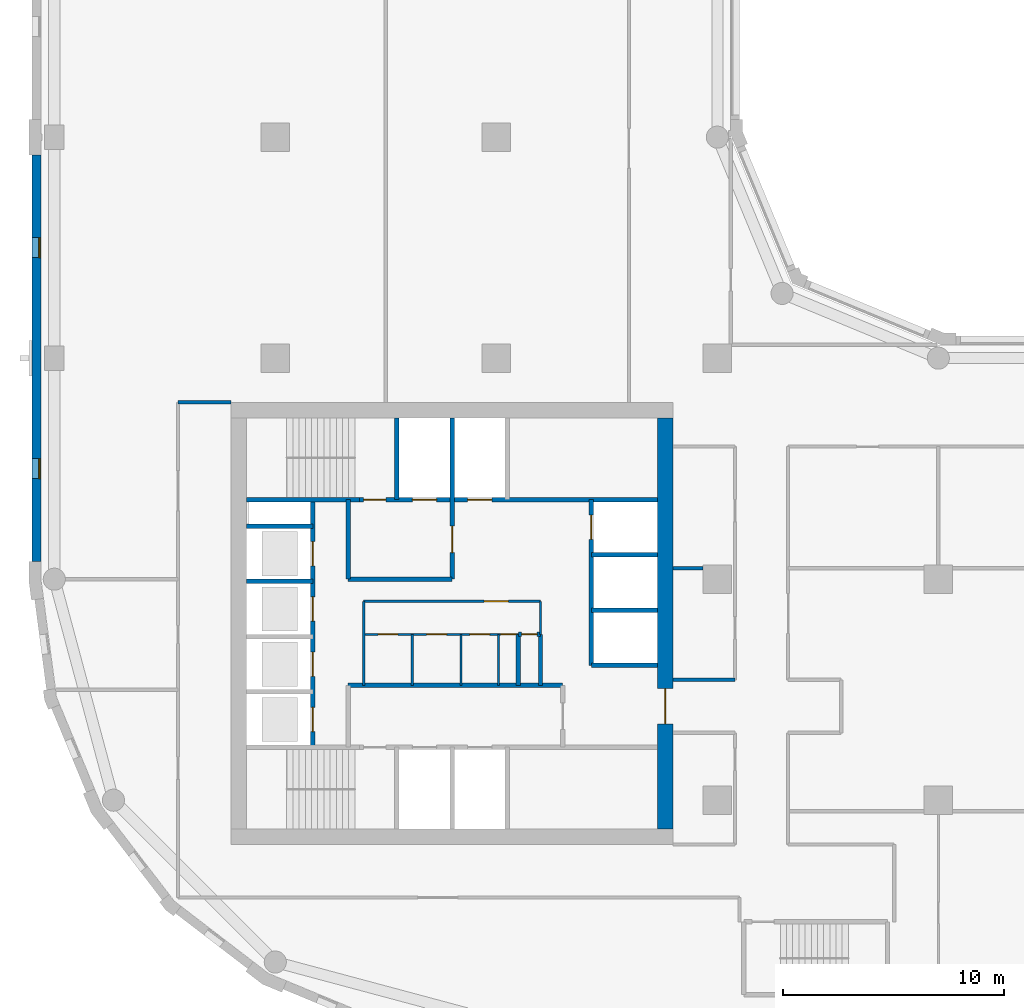
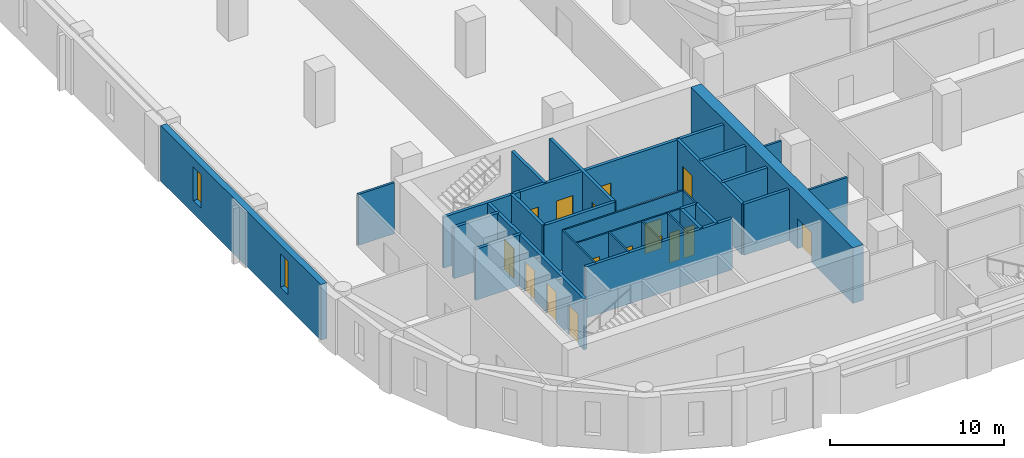
# One storey, part 3 of 9: 29 walls, 16 doors, 2 windows, 18 openings.
"""IFC4 building model written with IfcOpenShell, lengths in metres."""

import ifcopenshell
import ifcopenshell.guid

model = None  # the IFC model being written
_history = None  # IfcOwnerHistory: only IFC2X3 demands one
_inside = {}  # id of a spatial element -> (the spatial element, [elements in it])
_under = {}  # id of a project, library or spatial element -> (it, [spatial elements below it])
_declared = {}  # id of a project -> (the project, [libraries it declares])
_typed = {}  # id of a type object -> (the type object, [elements of that type])
_made_of = {}  # id of a material, layer set ... -> (it, [elements and type objects made of it])


def new_model(schema):
    """Start an empty IFC model of exactly this schema.

    Asked for "IFC4X3", IfcOpenShell would pick the latest addendum, in which some entities
    have other attributes; the version numbers below select the first issue.
    IFC2X3 requires an IfcOwnerHistory on every rooted entity: one is made here for all.
    """
    global model, _history
    if schema == "IFC4X3":
        model = ifcopenshell.file(schema_version=(4, 3, 0, 0))
    else:
        model = ifcopenshell.file(schema=schema)
    _inside.clear()
    _under.clear()
    _declared.clear()
    _typed.clear()
    _made_of.clear()
    _history = None
    if model.schema == "IFC2X3":
        org = make("IfcOrganization", Name="unknown")
        user = make(
            "IfcPersonAndOrganization",
            ThePerson=make("IfcPerson", FamilyName="unknown"),
            TheOrganization=org,
        )
        app = make(
            "IfcApplication",
            ApplicationDeveloper=org,
            Version="unknown",
            ApplicationFullName="unknown",
            ApplicationIdentifier="unknown",
        )
        _history = make(
            "IfcOwnerHistory",
            OwningUser=user,
            OwningApplication=app,
            ChangeAction="ADDED",
            CreationDate=0,
        )
    return model


def make(cls, **values):
    """One entity of the class cls with the attributes given. An attribute that is None is left unset."""
    return model.create_entity(
        cls, **{name: value for name, value in values.items() if value is not None}
    )


def rooted(cls, **values):
    """An entity with a GlobalId (a new one), such as an element, a storey or a relation."""
    return make(cls, GlobalId=ifcopenshell.guid.new(), OwnerHistory=_history, **values)


def si_unit(unit_type, name, prefix=None):
    """IfcSIUnit, for example si_unit("LENGTHUNIT", "METRE", prefix="MILLI")."""
    return make("IfcSIUnit", UnitType=unit_type, Prefix=prefix, Name=name)


def assignment(units):
    """IfcUnitAssignment: the units of a project."""
    return None if units is None else make("IfcUnitAssignment", Units=units)


def point(xyz):
    """IfcCartesianPoint."""
    return None if xyz is None else make("IfcCartesianPoint", Coordinates=xyz)


def direction(xyz):
    """IfcDirection."""
    return None if xyz is None else make("IfcDirection", DirectionRatios=xyz)


def frame(location, z_axis=None, x_axis=None):
    """IfcAxis2Placement3D, a coordinate frame: its origin and axes. An axis left out is left unset."""
    return make(
        "IfcAxis2Placement3D",
        Location=point(location),
        Axis=direction(z_axis),
        RefDirection=direction(x_axis),
    )


def frame_2d(location, x_axis=None):
    """IfcAxis2Placement2D, a coordinate frame in the plane: its origin and x axis."""
    return make(
        "IfcAxis2Placement2D", Location=point(location), RefDirection=direction(x_axis)
    )


def origin():
    """The frame at (0, 0, 0) with its axes left unset."""
    return frame((0.0, 0.0, 0.0))


def place(relative_to, where):
    """IfcLocalPlacement: puts the frame where relative to a parent placement (None: the world)."""
    return make(
        "IfcLocalPlacement", PlacementRelTo=relative_to, RelativePlacement=where
    )


def context(
    kind, dimensions, precision=None, world=None, true_north=None, identifier=None
):
    """IfcGeometricRepresentationContext, for example the 3D "Model" context."""
    return make(
        "IfcGeometricRepresentationContext",
        ContextIdentifier=identifier,
        ContextType=kind,
        CoordinateSpaceDimension=dimensions,
        Precision=precision,
        WorldCoordinateSystem=world,
        TrueNorth=true_north,
    )


def subcontext(parent, identifier, kind, view, scale=None):
    """IfcGeometricRepresentationSubContext, for example "Body" below "Model"."""
    return make(
        "IfcGeometricRepresentationSubContext",
        ContextIdentifier=identifier,
        ContextType=kind,
        ParentContext=parent,
        TargetScale=scale,
        TargetView=view,
    )


def project(units=None, contexts=None):
    """IfcProject with its units and contexts."""
    return rooted(
        "IfcProject",
        Name="project",
        RepresentationContexts=contexts,
        UnitsInContext=assignment(units),
    )


def spatial(cls, under=None, at=None, **own):
    """A site, building, storey or space (cls), placed at a placement, below another one or the project."""
    s = rooted(cls, ObjectPlacement=at, **own)
    if under is not None:
        _under.setdefault(under.id(), (under, []))[1].append(s)
    return s


def profile(cls, at=None, kind="AREA", **sizes):
    """A parametric profile (cls). Its sizes go by their IFC names, for example OverallWidth=200.0."""
    return make(cls, ProfileType=kind, Position=at, **sizes)


def rectangle(**sizes):
    """IfcRectangleProfileDef."""
    return profile("IfcRectangleProfileDef", **sizes)


def extrude(swept, where, along, depth):
    """IfcExtrudedAreaSolid: the profile swept, set in the frame where, extruded along a direction by depth."""
    return make(
        "IfcExtrudedAreaSolid",
        SweptArea=swept,
        Position=where,
        ExtrudedDirection=direction(along),
        Depth=depth,
    )


def shape(context_of_items, identifier, shape_type, items):
    """IfcShapeRepresentation: the items that make up one representation, for example the "Body"."""
    return make(
        "IfcShapeRepresentation",
        ContextOfItems=context_of_items,
        RepresentationIdentifier=identifier,
        RepresentationType=shape_type,
        Items=items,
    )


def material(Name=None, Category=None):
    """IfcMaterial."""
    return make("IfcMaterial", Name=Name, Category=Category)


def layer(
    of_material, thickness, ventilated=None, Name=None, Category=None, Priority=None
):
    """IfcMaterialLayer: one layer of a wall or slab, of a material (None: an air gap)."""
    return make(
        "IfcMaterialLayer",
        Material=of_material,
        LayerThickness=thickness,
        IsVentilated=ventilated,
        Name=Name,
        Category=Category,
        Priority=Priority,
    )


def layer_set(layers, Name=None):
    """IfcMaterialLayerSet."""
    return make("IfcMaterialLayerSet", MaterialLayers=layers, LayerSetName=Name)


def made_of(thing, what):
    """Note that an element or type object is made of a material, layer set ...; save() writes the relation."""
    if what is not None:
        _made_of.setdefault(what.id(), (what, []))[1].append(thing)
    return thing


def type_object(cls, material=None, **own):
    """A type object (cls), such as IfcWallType, which elements share."""
    return made_of(rooted(cls, **own), material)


def element(
    cls,
    number,
    at=None,
    inside=None,
    cuts=None,
    type_object=None,
    material=None,
    context=None,
    identifier="Body",
    shape_type=None,
    held_by="IfcProductDefinitionShape",
    body=None,
    shapes=None,
    **own,
):
    """One element of the class cls, such as IfcWall. Its Tag is "e" and its number.

    at: its placement. inside: the storey or other place that contains it. cuts: it is an
    opening in that element (IfcRelVoidsElement). A single representation is given by context,
    identifier, shape_type and body (its items); several are given by shapes. held_by: the class
    of the entity that holds the representations. save() writes the other relations.
    """
    e = rooted(cls, Tag="e%d" % number, ObjectPlacement=at, **own)
    if body is not None:
        shapes = [shape(context, identifier, shape_type, body)]
    if shapes is not None:
        e.Representation = make(held_by, Representations=shapes)
    if inside is not None:
        _inside.setdefault(inside.id(), (inside, []))[1].append(e)
    if cuts is not None:
        rooted(
            "IfcRelVoidsElement", RelatingBuildingElement=cuts, RelatedOpeningElement=e
        )
    if type_object is not None:
        _typed.setdefault(type_object.id(), (type_object, []))[1].append(e)
    return made_of(e, material)


def fill(opening, filler):
    """IfcRelFillsElement: the door or window that sits in an opening."""
    return rooted(
        "IfcRelFillsElement",
        RelatingOpeningElement=opening,
        RelatedBuildingElement=filler,
    )


def aggregate(whole, parts):
    """IfcRelAggregates: a whole, such as a stair, and the parts it consists of."""
    return rooted("IfcRelAggregates", RelatingObject=whole, RelatedObjects=parts)


def save(model, path):
    """Write the relations noted so far, then the file.

    IfcRelAggregates (storeys below a building ...), IfcRelContainedInSpatialStructure (elements
    in a storey), IfcRelDefinesByType, IfcRelAssociatesMaterial and IfcRelDeclares: one each for
    every whole, place, type object, material and project.
    """
    for whole, parts in _under.values():
        aggregate(whole, parts)
    for where, things in _inside.values():
        rooted(
            "IfcRelContainedInSpatialStructure",
            RelatedElements=things,
            RelatingStructure=where,
        )
    for kind, things in _typed.values():
        rooted("IfcRelDefinesByType", RelatedObjects=things, RelatingType=kind)
    for what, things in _made_of.values():
        rooted("IfcRelAssociatesMaterial", RelatedObjects=things, RelatingMaterial=what)
    for by, libraries in _declared.values():
        rooted("IfcRelDeclares", RelatingContext=by, RelatedDefinitions=libraries)
    model.write(path)


model = new_model("IFC4")

# Units and contexts
model_context = context("Model", 3, precision=1e-05, world=origin(), true_north=direction((0.0, 1.0)))
body_context = subcontext(model_context, "Body", "Model", "MODEL_VIEW")
ifc_project = project(units=[si_unit("LENGTHUNIT", "METRE"), si_unit("AREAUNIT", "SQUARE_METRE"), si_unit("VOLUMEUNIT", "CUBIC_METRE"), si_unit("PLANEANGLEUNIT", "RADIAN"), si_unit("MASSUNIT", "GRAM", prefix="KILO")], contexts=[model_context])

# Site, building, storey
site_placement = place(None, origin())
site = spatial("IfcSite", under=ifc_project, at=site_placement, CompositionType="ELEMENT")
building_placement = place(site_placement, origin())
building = spatial("IfcBuilding", under=site, at=building_placement, Name="Qaws Garden Tower", CompositionType="ELEMENT")
storey_placement = place(building_placement, frame((0.0, 0.0, 221.39990234375)))
storey = spatial("IfcBuildingStorey", under=building, at=storey_placement, Name="L54", CompositionType="ELEMENT", Elevation=221.39990234375)

# Wall, openings, windows
ifc_material_1 = material(Name="Clay facing brick masonry", Category="masonry")
ifc_layer_1 = layer(ifc_material_1, 0.39990234375)
ifc_layer_set_1 = layer_set([ifc_layer_1], Name="Clay facing brick masonry")
wall_type_1 = type_object("IfcWallType", Name="Brick infill wall 400", PredefinedType="SOLIDWALL", material=ifc_layer_set_1)
wall_1_placement = place(storey_placement, frame((-0.800048828125, 39.199951171875, 0.0), z_axis=(0.0, 0.0, 1.0), x_axis=(0.0, -1.0, 0.0)))
wall_1 = element("IfcWall", 1, at=wall_1_placement, inside=storey, type_object=wall_type_1, Name="E-L54-infill-23", PredefinedType="SOLIDWALL", context=body_context, shape_type="SweptSolid", body=[
    extrude(rectangle(XDim=18.39990234375, YDim=0.39990234375, at=frame_2d((9.199951171875, 0.0))), origin(), (0.0, 0.0, 1.0), 3.900146484375),
])
opening_1_placement = place(wall_1_placement, frame((3.75, 0.0, 0.89990234375)))
opening_1 = element("IfcOpeningElement", 2, at=opening_1_placement, cuts=wall_1, Name="Opening W09", PredefinedType="OPENING", context=body_context, shape_type="SweptSolid", body=[
    extrude(rectangle(XDim=0.89990234375, YDim=2.35009765625, at=frame_2d((0.449951171875, 1.175048828125))), frame((0.0, 0.2099609375, 0.0), z_axis=(0.0, -1.0, 0.0), x_axis=(1.0, 0.0, 0.0)), (0.0, 0.0, 1.0), 0.419921875),
])
opening_2_placement = place(wall_1_placement, frame((13.75, 0.0, 0.89990234375)))
opening_2 = element("IfcOpeningElement", 3, at=opening_2_placement, cuts=wall_1, Name="Opening W09", PredefinedType="OPENING", context=body_context, shape_type="SweptSolid", body=[
    extrude(rectangle(XDim=0.89990234375, YDim=2.35009765625, at=frame_2d((0.449951171875, 1.175048828125))), frame((0.0, 0.2099609375, 0.0), z_axis=(0.0, -1.0, 0.0), x_axis=(1.0, 0.0, 0.0)), (0.0, 0.0, 1.0), 0.419921875),
])
ifc_material_2 = material(Name="Aluminium framed window, clear glazing", Category="aluminium")
window_type = type_object("IfcWindowType", Name="Slit window 900 x 2350", PartitioningType="SINGLE_PANEL", PredefinedType="WINDOW", material=ifc_material_2)
window_1_placement = place(opening_1_placement, origin())
window_1 = element("IfcWindow", 4, at=window_1_placement, inside=storey, type_object=window_type, Name="E-L54-window-23-0", OverallHeight=2.35009765625, OverallWidth=0.89990234375, PartitioningType="SINGLE_PANEL", PredefinedType="WINDOW", context=body_context, shape_type="SweptSolid", body=[
    extrude(rectangle(XDim=0.89990234375, YDim=2.35009765625, at=frame_2d((0.449951171875, 1.175048828125))), frame((0.0, 0.159912109375, 0.0), z_axis=(0.0, -1.0, 0.0), x_axis=(1.0, 0.0, 0.0)), (0.0, 0.0, 1.0), 0.06005859375),
])
fill(opening_1, window_1)
window_2_placement = place(opening_2_placement, origin())
window_2 = element("IfcWindow", 5, at=window_2_placement, inside=storey, type_object=window_type, Name="E-L54-window-24-0", OverallHeight=2.35009765625, OverallWidth=0.89990234375, PartitioningType="SINGLE_PANEL", PredefinedType="WINDOW", context=body_context, shape_type="SweptSolid", body=[
    extrude(rectangle(XDim=0.89990234375, YDim=2.35009765625, at=frame_2d((0.449951171875, 1.175048828125))), frame((0.0, 0.159912109375, 0.0), z_axis=(0.0, -1.0, 0.0), x_axis=(1.0, 0.0, 0.0)), (0.0, 0.0, 1.0), 0.06005859375),
])
fill(opening_2, window_2)

# Wall, openings, doors
ifc_material_3 = material(Name="Plasterboard")
ifc_layer_2 = layer(ifc_material_3, 0.10009765625)
ifc_layer_set_2 = layer_set([ifc_layer_2], Name="Plasterboard")
wall_type_2 = type_object("IfcWallType", Name="Core partition 100", PredefinedType="PARTITIONING", material=ifc_layer_set_2)
wall_2_placement = place(storey_placement, frame((14.0, 17.5, 0.0), z_axis=(0.0, 0.0, 1.0), x_axis=(1.0, 0.0, 0.0)))
wall_2 = element("IfcWall", 6, at=wall_2_placement, inside=storey, type_object=wall_type_2, Name="Core partition", PredefinedType="PARTITIONING", context=body_context, shape_type="SweptSolid", body=[
    extrude(rectangle(XDim=7.0, YDim=0.10009765625, at=frame_2d((3.5, 0.0))), origin(), (0.0, 0.0, 1.0), 3.580078125),
])
opening_3_placement = place(wall_2_placement, frame((0.64990234375, 0.0, 0.0)))
opening_3 = element("IfcOpeningElement", 7, at=opening_3_placement, cuts=wall_2, Name="Opening WD18", PredefinedType="OPENING", context=body_context, shape_type="SweptSolid", body=[
    extrude(rectangle(XDim=0.89990234375, YDim=2.10009765625, at=frame_2d((0.449951171875, 1.050048828125))), frame((0.0, 0.06005859375, 0.0), z_axis=(0.0, -1.0, 0.0), x_axis=(1.0, 0.0, 0.0)), (0.0, 0.0, 1.0), 0.1201171875),
])
opening_4_placement = place(wall_2_placement, frame((2.85009765625, 0.0, 0.0)))
opening_4 = element("IfcOpeningElement", 8, at=opening_4_placement, cuts=wall_2, Name="Opening WD19", PredefinedType="OPENING", context=body_context, shape_type="SweptSolid", body=[
    extrude(rectangle(XDim=0.89990234375, YDim=2.10009765625, at=frame_2d((0.449951171875, 1.050048828125))), frame((0.0, 0.06005859375, 0.0), z_axis=(0.0, -1.0, 0.0), x_axis=(1.0, 0.0, 0.0)), (0.0, 0.0, 1.0), 0.1201171875),
])
opening_5_placement = place(wall_2_placement, frame((4.800048828125, 0.0, 0.0)))
opening_5 = element("IfcOpeningElement", 9, at=opening_5_placement, cuts=wall_2, Name="Opening WD20", PredefinedType="OPENING", context=body_context, shape_type="SweptSolid", body=[
    extrude(rectangle(XDim=0.89990234375, YDim=2.10009765625, at=frame_2d((0.449951171875, 1.050048828125))), frame((0.0, 0.06005859375, 0.0), z_axis=(0.0, -1.0, 0.0), x_axis=(1.0, 0.0, 0.0)), (0.0, 0.0, 1.0), 0.1201171875),
])
opening_6_placement = place(wall_2_placement, frame((6.199951171875, 0.0, 0.0)))
opening_6 = element("IfcOpeningElement", 10, at=opening_6_placement, cuts=wall_2, Name="Opening XD21", PredefinedType="OPENING", context=body_context, shape_type="SweptSolid", body=[
    extrude(rectangle(XDim=0.699951171875, YDim=2.10009765625, at=frame_2d((0.35009765625, 1.050048828125))), frame((0.0, 0.06005859375, 0.0), z_axis=(0.0, -1.0, 0.0), x_axis=(1.0, 0.0, 0.0)), (0.0, 0.0, 1.0), 0.1201171875),
])
ifc_material_4 = material(Name="Timber", Category="wood")
door_type_1 = type_object("IfcDoorType", Name="Store door 700x2100", OperationType="SINGLE_SWING_LEFT", PredefinedType="DOOR", material=ifc_material_4)
door_1_placement = place(opening_6_placement, frame((0.699951171875, 0.0, 0.0), z_axis=(0.0, 0.0, 1.0), x_axis=(-1.0, 0.0, 0.0)))
door_1 = element("IfcDoor", 11, at=door_1_placement, inside=storey, type_object=door_type_1, Name="Cleaner's store door", OperationType="SINGLE_SWING_LEFT", OverallHeight=2.10009765625, OverallWidth=0.699951171875, PredefinedType="DOOR", context=body_context, shape_type="SweptSolid", body=[
    extrude(rectangle(XDim=0.699951171875, YDim=2.10009765625, at=frame_2d((0.35009765625, 1.050048828125))), frame((0.0, 0.02490234375, 0.0), z_axis=(0.0, -1.0, 0.0), x_axis=(1.0, 0.0, 0.0)), (0.0, 0.0, 1.0), 0.050048828125),
])
fill(opening_6, door_1)
ifc_material_5 = material(Name="Timber", Category="wood")
door_type_2 = type_object("IfcDoorType", Name="WC door 900x2100", OperationType="SINGLE_SWING_LEFT", PredefinedType="DOOR", material=ifc_material_5)
door_2_placement = place(opening_3_placement, frame((0.89990234375, 0.0, 0.0), z_axis=(0.0, 0.0, 1.0), x_axis=(-1.0, 0.0, 0.0)))
door_2 = element("IfcDoor", 12, at=door_2_placement, inside=storey, type_object=door_type_2, Name="Men's WC door", OperationType="SINGLE_SWING_LEFT", OverallHeight=2.10009765625, OverallWidth=0.89990234375, PredefinedType="DOOR", context=body_context, shape_type="SweptSolid", body=[
    extrude(rectangle(XDim=0.89990234375, YDim=2.10009765625, at=frame_2d((0.449951171875, 1.050048828125))), frame((0.0, 0.02490234375, 0.0), z_axis=(0.0, -1.0, 0.0), x_axis=(1.0, 0.0, 0.0)), (0.0, 0.0, 1.0), 0.050048828125),
])
fill(opening_3, door_2)
door_3_placement = place(opening_4_placement, frame((0.89990234375, 0.0, 0.0), z_axis=(0.0, 0.0, 1.0), x_axis=(-1.0, 0.0, 0.0)))
door_3 = element("IfcDoor", 13, at=door_3_placement, inside=storey, type_object=door_type_2, Name="Women's WC door", OperationType="SINGLE_SWING_LEFT", OverallHeight=2.10009765625, OverallWidth=0.89990234375, PredefinedType="DOOR", context=body_context, shape_type="SweptSolid", body=[
    extrude(rectangle(XDim=0.89990234375, YDim=2.10009765625, at=frame_2d((0.449951171875, 1.050048828125))), frame((0.0, 0.02490234375, 0.0), z_axis=(0.0, -1.0, 0.0), x_axis=(1.0, 0.0, 0.0)), (0.0, 0.0, 1.0), 0.050048828125),
])
fill(opening_4, door_3)
door_4_placement = place(opening_5_placement, frame((0.89990234375, 0.0, 0.0), z_axis=(0.0, 0.0, 1.0), x_axis=(-1.0, 0.0, 0.0)))
door_4 = element("IfcDoor", 14, at=door_4_placement, inside=storey, type_object=door_type_2, Name="Accessible WC door", OperationType="SINGLE_SWING_LEFT", OverallHeight=2.10009765625, OverallWidth=0.89990234375, PredefinedType="DOOR", context=body_context, shape_type="SweptSolid", body=[
    extrude(rectangle(XDim=0.89990234375, YDim=2.10009765625, at=frame_2d((0.449951171875, 1.050048828125))), frame((0.0, 0.02490234375, 0.0), z_axis=(0.0, -1.0, 0.0), x_axis=(1.0, 0.0, 0.0)), (0.0, 0.0, 1.0), 0.050048828125),
])
fill(opening_5, door_4)

# Wall, opening, door
wall_3_placement = place(storey_placement, frame((14.0, 19.0, 0.0), z_axis=(0.0, 0.0, 1.0), x_axis=(1.0, 0.0, 0.0)))
wall_3 = element("IfcWall", 15, at=wall_3_placement, inside=storey, type_object=wall_type_2, Name="Core partition", PredefinedType="PARTITIONING", context=body_context, shape_type="SweptSolid", body=[
    extrude(rectangle(XDim=8.0, YDim=0.10009765625, at=frame_2d((4.0, 0.0))), origin(), (0.0, 0.0, 1.0), 3.580078125),
])
opening_7_placement = place(wall_3_placement, frame((5.449951171875, 0.0, 0.0)))
opening_7 = element("IfcOpeningElement", 16, at=opening_7_placement, cuts=wall_3, Name="Opening WL17", PredefinedType="OPENING", context=body_context, shape_type="SweptSolid", body=[
    extrude(rectangle(XDim=1.10009765625, YDim=2.10009765625, at=frame_2d((0.550048828125, 1.050048828125))), frame((0.0, 0.06005859375, 0.0), z_axis=(0.0, -1.0, 0.0), x_axis=(1.0, 0.0, 0.0)), (0.0, 0.0, 1.0), 0.1201171875),
])
ifc_material_6 = material(Name="Timber", Category="wood")
door_type_3 = type_object("IfcDoorType", Name="WC lobby door 1100x2100", OperationType="SINGLE_SWING_LEFT", PredefinedType="DOOR", material=ifc_material_6)
door_5_placement = place(opening_7_placement, frame((1.10009765625, 0.0, 0.0), z_axis=(0.0, 0.0, 1.0), x_axis=(-1.0, 0.0, 0.0)))
door_5 = element("IfcDoor", 17, at=door_5_placement, inside=storey, type_object=door_type_3, Name="WC lobby door", OperationType="SINGLE_SWING_LEFT", OverallHeight=2.10009765625, OverallWidth=1.10009765625, PredefinedType="DOOR", context=body_context, shape_type="SweptSolid", body=[
    extrude(rectangle(XDim=1.10009765625, YDim=2.10009765625, at=frame_2d((0.550048828125, 1.050048828125))), frame((0.0, 0.02490234375, 0.0), z_axis=(0.0, -1.0, 0.0), x_axis=(1.0, 0.0, 0.0)), (0.0, 0.0, 1.0), 0.050048828125),
])
fill(opening_7, door_5)

# Walls
wall_4_placement = place(storey_placement, frame((14.0, 15.199951171875, 0.0), z_axis=(0.0, 0.0, 1.0), x_axis=(0.0, 1.0, 0.0)))
element("IfcWall", 18, at=wall_4_placement, inside=storey, type_object=wall_type_2, Name="Core partition", PredefinedType="PARTITIONING", context=body_context, shape_type="SweptSolid", body=[
    extrude(rectangle(XDim=3.800048828125, YDim=0.10009765625, at=frame_2d((1.89990234375, 0.0))), origin(), (0.0, 0.0, 1.0), 3.580078125),
])
for number, where, z_axis, x_axis, name in (
    (19, (16.199951171875, 15.199951171875, 0.0), (0.0, 0.0, 1.0), (0.0, 1.0, 0.0), "Core partition"),
    (20, (18.39990234375, 15.199951171875, 0.0), (0.0, 0.0, 1.0), (0.0, 1.0, 0.0), "Core partition"),
    (21, (20.10009765625, 15.199951171875, 0.0), (0.0, 0.0, 1.0), (0.0, 1.0, 0.0), "Core partition"),
):
    element("IfcWall", number, at=place(storey_placement, frame(where, z_axis=z_axis, x_axis=x_axis)), inside=storey, type_object=wall_type_2, Name=name, PredefinedType="PARTITIONING", context=body_context, shape_type="SweptSolid", body=[
        extrude(rectangle(XDim=2.300048828125, YDim=0.10009765625, at=frame_2d((1.14990234375, 0.0))), origin(), (0.0, 0.0, 1.0), 3.580078125),
    ])
wall_5_placement = place(storey_placement, frame((22.0, 17.5, 0.0), z_axis=(0.0, 0.0, 1.0), x_axis=(0.0, 1.0, 0.0)))
element("IfcWall", 22, at=wall_5_placement, inside=storey, type_object=wall_type_2, Name="Core partition", PredefinedType="PARTITIONING", context=body_context, shape_type="SweptSolid", body=[
    extrude(rectangle(XDim=1.5, YDim=0.10009765625, at=frame_2d((0.75, 0.0))), origin(), (0.0, 0.0, 1.0), 3.580078125),
])
ifc_material_7 = material(Name="Concrete C70", Category="concrete")
ifc_layer_3 = layer(ifc_material_7, 0.199951171875)
ifc_layer_set_3 = layer_set([ifc_layer_3], Name="Concrete C70")
wall_type_3 = type_object("IfcWallType", Name="Core shaft wall 200 C70", PredefinedType="SHEAR", material=ifc_layer_set_3)
wall_6_placement = place(storey_placement, frame((13.300048828125, 15.199951171875, 0.0), z_axis=(0.0, 0.0, 1.0), x_axis=(1.0, 0.0, 0.0)))
element("IfcWall", 23, at=wall_6_placement, inside=storey, type_object=wall_type_3, Name="Shaft wall", PredefinedType="SHEAR", context=body_context, shape_type="SweptSolid", body=[
    extrude(rectangle(XDim=9.699951171875, YDim=0.199951171875, at=frame_2d((4.85009765625, 0.0))), origin(), (0.0, 0.0, 1.0), 3.580078125),
])
wall_7_placement = place(storey_placement, frame((24.300048828125, 16.10009765625, 0.0), z_axis=(0.0, 0.0, 1.0), x_axis=(1.0, 0.0, 0.0)))
element("IfcWall", 24, at=wall_7_placement, inside=storey, type_object=wall_type_3, Name="Shaft wall", PredefinedType="SHEAR", context=body_context, shape_type="SweptSolid", body=[
    extrude(rectangle(XDim=3.0, YDim=0.199951171875, at=frame_2d((1.5, 0.0))), origin(), (0.0, 0.0, 1.0), 3.580078125),
])

# Wall, opening, door
wall_8_placement = place(storey_placement, frame((21.0, 17.5, 0.0), z_axis=(0.0, 0.0, 1.0), x_axis=(1.0, 0.0, 0.0)))
wall_8 = element("IfcWall", 25, at=wall_8_placement, inside=storey, type_object=wall_type_3, Name="Shaft wall", PredefinedType="SHEAR", context=body_context, shape_type="SweptSolid", body=[
    extrude(rectangle(XDim=1.0, YDim=0.199951171875, at=frame_2d((0.5, 0.0))), origin(), (0.0, 0.0, 1.0), 3.580078125),
])
opening_8_placement = place(wall_8_placement, frame((0.14990234375, 0.0, 0.0)))
opening_8 = element("IfcOpeningElement", 26, at=opening_8_placement, cuts=wall_8, Name="Opening XD22", PredefinedType="OPENING", context=body_context, shape_type="SweptSolid", body=[
    extrude(rectangle(XDim=0.699951171875, YDim=2.10009765625, at=frame_2d((0.35009765625, 1.050048828125))), frame((0.0, 0.10986328125, 0.0), z_axis=(0.0, -1.0, 0.0), x_axis=(1.0, 0.0, 0.0)), (0.0, 0.0, 1.0), 0.219970703125),
])
door_6_placement = place(opening_8_placement, frame((0.699951171875, 0.0, 0.0), z_axis=(0.0, 0.0, 1.0), x_axis=(-1.0, 0.0, 0.0)))
door_6 = element("IfcDoor", 27, at=door_6_placement, inside=storey, type_object=door_type_1, Name="Telecom riser door", OperationType="SINGLE_SWING_LEFT", OverallHeight=2.10009765625, OverallWidth=0.699951171875, PredefinedType="DOOR", context=body_context, shape_type="SweptSolid", body=[
    extrude(rectangle(XDim=0.699951171875, YDim=2.10009765625, at=frame_2d((0.35009765625, 1.050048828125))), frame((0.0, 0.02490234375, 0.0), z_axis=(0.0, -1.0, 0.0), x_axis=(1.0, 0.0, 0.0)), (0.0, 0.0, 1.0), 0.050048828125),
])
fill(opening_8, door_6)

# Walls
for number, where, z_axis, x_axis, name in (
    (28, (24.300048828125, 18.60009765625, 0.0), (0.0, 0.0, 1.0), (1.0, 0.0, 0.0), "Shaft wall"),
    (29, (8.699951171875, 19.89990234375, 0.0), (0.0, 0.0, 1.0), (1.0, 0.0, 0.0), "Shaft wall"),
):
    element("IfcWall", number, at=place(storey_placement, frame(where, z_axis=z_axis, x_axis=x_axis)), inside=storey, type_object=wall_type_3, Name=name, PredefinedType="SHEAR", context=body_context, shape_type="SweptSolid", body=[
        extrude(rectangle(XDim=3.0, YDim=0.199951171875, at=frame_2d((1.5, 0.0))), origin(), (0.0, 0.0, 1.0), 3.580078125),
    ])
wall_9_placement = place(storey_placement, frame((13.300048828125, 20.0, 0.0), z_axis=(0.0, 0.0, 1.0), x_axis=(1.0, 0.0, 0.0)))
element("IfcWall", 30, at=wall_9_placement, inside=storey, type_object=wall_type_3, Name="Shaft wall", PredefinedType="SHEAR", context=body_context, shape_type="SweptSolid", body=[
    extrude(rectangle(XDim=4.699951171875, YDim=0.199951171875, at=frame_2d((2.35009765625, 0.0))), origin(), (0.0, 0.0, 1.0), 3.580078125),
])
for number, where, z_axis, x_axis, name in (
    (31, (24.300048828125, 21.10009765625, 0.0), (0.0, 0.0, 1.0), (1.0, 0.0, 0.0), "Shaft wall"),
    (32, (8.699951171875, 22.39990234375, 0.0), (0.0, 0.0, 1.0), (1.0, 0.0, 0.0), "Shaft wall"),
):
    element("IfcWall", number, at=place(storey_placement, frame(where, z_axis=z_axis, x_axis=x_axis)), inside=storey, type_object=wall_type_3, Name=name, PredefinedType="SHEAR", context=body_context, shape_type="SweptSolid", body=[
        extrude(rectangle(XDim=3.0, YDim=0.199951171875, at=frame_2d((1.5, 0.0))), origin(), (0.0, 0.0, 1.0), 3.580078125),
    ])
wall_10_placement = place(storey_placement, frame((8.699951171875, 23.60009765625, 0.0), z_axis=(0.0, 0.0, 1.0), x_axis=(1.0, 0.0, 0.0)))
element("IfcWall", 33, at=wall_10_placement, inside=storey, type_object=wall_type_3, Name="Shaft wall", PredefinedType="SHEAR", context=body_context, shape_type="SweptSolid", body=[
    extrude(rectangle(XDim=5.10009765625, YDim=0.199951171875, at=frame_2d((2.550048828125, 0.0))), origin(), (0.0, 0.0, 1.0), 3.580078125),
])

# Wall, openings, doors
wall_11_placement = place(storey_placement, frame((13.800048828125, 23.60009765625, 0.0), z_axis=(0.0, 0.0, 1.0), x_axis=(1.0, 0.0, 0.0)))
wall_11 = element("IfcWall", 34, at=wall_11_placement, inside=storey, type_object=wall_type_3, Name="Shaft wall", PredefinedType="SHEAR", context=body_context, shape_type="SweptSolid", body=[
    extrude(rectangle(XDim=13.5, YDim=0.199951171875, at=frame_2d((6.75, 0.0))), origin(), (0.0, 0.0, 1.0), 3.580078125),
])
opening_9_placement = place(wall_11_placement, frame((2.39990234375, 0.0, 0.0)))
opening_9 = element("IfcOpeningElement", 35, at=opening_9_placement, cuts=wall_11, Name="Opening LD08", PredefinedType="OPENING", context=body_context, shape_type="SweptSolid", body=[
    extrude(rectangle(XDim=1.10009765625, YDim=2.10009765625, at=frame_2d((0.550048828125, 1.050048828125))), frame((0.0, 0.10986328125, 0.0), z_axis=(0.0, -1.0, 0.0), x_axis=(1.0, 0.0, 0.0)), (0.0, 0.0, 1.0), 0.219970703125),
])
opening_10_placement = place(wall_11_placement, frame((4.89990234375, 0.0, 0.0)))
opening_10 = element("IfcOpeningElement", 36, at=opening_10_placement, cuts=wall_11, Name="Opening LD09", PredefinedType="OPENING", context=body_context, shape_type="SweptSolid", body=[
    extrude(rectangle(XDim=1.10009765625, YDim=2.10009765625, at=frame_2d((0.550048828125, 1.050048828125))), frame((0.0, 0.10986328125, 0.0), z_axis=(0.0, -1.0, 0.0), x_axis=(1.0, 0.0, 0.0)), (0.0, 0.0, 1.0), 0.219970703125),
])
opening_11_placement = place(wall_11_placement, frame((0.199951171875, 0.0, 0.0)))
opening_11 = element("IfcOpeningElement", 37, at=opening_11_placement, cuts=wall_11, Name="Opening SD11", PredefinedType="OPENING", context=body_context, shape_type="SweptSolid", body=[
    extrude(rectangle(XDim=1.0, YDim=2.10009765625, at=frame_2d((0.5, 1.050048828125))), frame((0.0, 0.10986328125, 0.0), z_axis=(0.0, -1.0, 0.0), x_axis=(1.0, 0.0, 0.0)), (0.0, 0.0, 1.0), 0.219970703125),
])
ifc_material_8 = material(Name="Steel S235", Category="steel")
door_type_4 = type_object("IfcDoorType", Name="Landing door 1100x2100", OperationType="DOUBLE_DOOR_SLIDING", PredefinedType="DOOR", material=ifc_material_8)
door_7_placement = place(opening_9_placement, origin())
door_7 = element("IfcDoor", 38, at=door_7_placement, inside=storey, type_object=door_type_4, Name="Lift FF3 landing door", OperationType="DOUBLE_DOOR_SLIDING", OverallHeight=2.10009765625, OverallWidth=1.10009765625, PredefinedType="DOOR", context=body_context, shape_type="SweptSolid", body=[
    extrude(rectangle(XDim=1.10009765625, YDim=2.10009765625, at=frame_2d((0.550048828125, 1.050048828125))), frame((0.0, 0.02490234375, 0.0), z_axis=(0.0, -1.0, 0.0), x_axis=(1.0, 0.0, 0.0)), (0.0, 0.0, 1.0), 0.050048828125),
])
fill(opening_9, door_7)
door_8_placement = place(opening_10_placement, origin())
door_8 = element("IfcDoor", 39, at=door_8_placement, inside=storey, type_object=door_type_4, Name="Lift SV2 landing door", OperationType="DOUBLE_DOOR_SLIDING", OverallHeight=2.10009765625, OverallWidth=1.10009765625, PredefinedType="DOOR", context=body_context, shape_type="SweptSolid", body=[
    extrude(rectangle(XDim=1.10009765625, YDim=2.10009765625, at=frame_2d((0.550048828125, 1.050048828125))), frame((0.0, 0.02490234375, 0.0), z_axis=(0.0, -1.0, 0.0), x_axis=(1.0, 0.0, 0.0)), (0.0, 0.0, 1.0), 0.050048828125),
])
fill(opening_10, door_8)
ifc_material_9 = material(Name="Steel S235", Category="steel")
door_type_5 = type_object("IfcDoorType", Name="Stair door 1000x2100", OperationType="SINGLE_SWING_RIGHT", PredefinedType="DOOR", material=ifc_material_9)
door_9_placement = place(opening_11_placement, origin())
door_9 = element("IfcDoor", 40, at=door_9_placement, inside=storey, type_object=door_type_5, Name="Stair 4 door", OperationType="SINGLE_SWING_RIGHT", OverallHeight=2.10009765625, OverallWidth=1.0, PredefinedType="DOOR", context=body_context, shape_type="SweptSolid", body=[
    extrude(rectangle(XDim=1.0, YDim=2.10009765625, at=frame_2d((0.5, 1.050048828125))), frame((0.0, 0.02490234375, 0.0), z_axis=(0.0, -1.0, 0.0), x_axis=(1.0, 0.0, 0.0)), (0.0, 0.0, 1.0), 0.050048828125),
])
fill(opening_11, door_9)

wall_12_placement = place(storey_placement, frame((11.699951171875, 12.39990234375, 0.0), z_axis=(0.0, 0.0, 1.0), x_axis=(0.0, 1.0, 0.0)))
wall_12 = element("IfcWall", 41, at=wall_12_placement, inside=storey, type_object=wall_type_3, Name="Shaft wall", PredefinedType="SHEAR", context=body_context, shape_type="SweptSolid", body=[
    extrude(rectangle(XDim=11.2001953125, YDim=0.199951171875, at=frame_2d((5.60009765625, 0.0))), origin(), (0.0, 0.0, 1.0), 3.580078125),
])
opening_12_placement = place(wall_12_placement, frame((0.699951171875, 0.0, 0.0)))
opening_12 = element("IfcOpeningElement", 42, at=opening_12_placement, cuts=wall_12, Name="Opening LD01", PredefinedType="OPENING", context=body_context, shape_type="SweptSolid", body=[
    extrude(rectangle(XDim=1.10009765625, YDim=2.10009765625, at=frame_2d((0.550048828125, 1.050048828125))), frame((0.0, 0.10986328125, 0.0), z_axis=(0.0, -1.0, 0.0), x_axis=(1.0, 0.0, 0.0)), (0.0, 0.0, 1.0), 0.219970703125),
])
opening_13_placement = place(wall_12_placement, frame((3.199951171875, 0.0, 0.0)))
opening_13 = element("IfcOpeningElement", 43, at=opening_13_placement, cuts=wall_12, Name="Opening LD02", PredefinedType="OPENING", context=body_context, shape_type="SweptSolid", body=[
    extrude(rectangle(XDim=1.10009765625, YDim=2.10009765625, at=frame_2d((0.550048828125, 1.050048828125))), frame((0.0, 0.10986328125, 0.0), z_axis=(0.0, -1.0, 0.0), x_axis=(1.0, 0.0, 0.0)), (0.0, 0.0, 1.0), 0.219970703125),
])
opening_14_placement = place(wall_12_placement, frame((5.699951171875, 0.0, 0.0)))
opening_14 = element("IfcOpeningElement", 44, at=opening_14_placement, cuts=wall_12, Name="Opening LD03", PredefinedType="OPENING", context=body_context, shape_type="SweptSolid", body=[
    extrude(rectangle(XDim=1.10009765625, YDim=2.10009765625, at=frame_2d((0.550048828125, 1.050048828125))), frame((0.0, 0.10986328125, 0.0), z_axis=(0.0, -1.0, 0.0), x_axis=(1.0, 0.0, 0.0)), (0.0, 0.0, 1.0), 0.219970703125),
])
opening_15_placement = place(wall_12_placement, frame((8.199951171875, 0.0, 0.0)))
opening_15 = element("IfcOpeningElement", 45, at=opening_15_placement, cuts=wall_12, Name="Opening LD04", PredefinedType="OPENING", context=body_context, shape_type="SweptSolid", body=[
    extrude(rectangle(XDim=1.10009765625, YDim=2.10009765625, at=frame_2d((0.550048828125, 1.050048828125))), frame((0.0, 0.10986328125, 0.0), z_axis=(0.0, -1.0, 0.0), x_axis=(1.0, 0.0, 0.0)), (0.0, 0.0, 1.0), 0.219970703125),
])
door_10_placement = place(opening_12_placement, origin())
door_10 = element("IfcDoor", 46, at=door_10_placement, inside=storey, type_object=door_type_4, Name="Lift W1 landing door", OperationType="DOUBLE_DOOR_SLIDING", OverallHeight=2.10009765625, OverallWidth=1.10009765625, PredefinedType="DOOR", context=body_context, shape_type="SweptSolid", body=[
    extrude(rectangle(XDim=1.10009765625, YDim=2.10009765625, at=frame_2d((0.550048828125, 1.050048828125))), frame((0.0, 0.02490234375, 0.0), z_axis=(0.0, -1.0, 0.0), x_axis=(1.0, 0.0, 0.0)), (0.0, 0.0, 1.0), 0.050048828125),
])
fill(opening_12, door_10)
door_11_placement = place(opening_13_placement, origin())
door_11 = element("IfcDoor", 47, at=door_11_placement, inside=storey, type_object=door_type_4, Name="Lift W2 landing door", OperationType="DOUBLE_DOOR_SLIDING", OverallHeight=2.10009765625, OverallWidth=1.10009765625, PredefinedType="DOOR", context=body_context, shape_type="SweptSolid", body=[
    extrude(rectangle(XDim=1.10009765625, YDim=2.10009765625, at=frame_2d((0.550048828125, 1.050048828125))), frame((0.0, 0.02490234375, 0.0), z_axis=(0.0, -1.0, 0.0), x_axis=(1.0, 0.0, 0.0)), (0.0, 0.0, 1.0), 0.050048828125),
])
fill(opening_13, door_11)
door_12_placement = place(opening_14_placement, origin())
door_12 = element("IfcDoor", 48, at=door_12_placement, inside=storey, type_object=door_type_4, Name="Lift W3 landing door", OperationType="DOUBLE_DOOR_SLIDING", OverallHeight=2.10009765625, OverallWidth=1.10009765625, PredefinedType="DOOR", context=body_context, shape_type="SweptSolid", body=[
    extrude(rectangle(XDim=1.10009765625, YDim=2.10009765625, at=frame_2d((0.550048828125, 1.050048828125))), frame((0.0, 0.02490234375, 0.0), z_axis=(0.0, -1.0, 0.0), x_axis=(1.0, 0.0, 0.0)), (0.0, 0.0, 1.0), 0.050048828125),
])
fill(opening_14, door_12)
door_13_placement = place(opening_15_placement, origin())
door_13 = element("IfcDoor", 49, at=door_13_placement, inside=storey, type_object=door_type_4, Name="Lift W4 landing door", OperationType="DOUBLE_DOOR_SLIDING", OverallHeight=2.10009765625, OverallWidth=1.10009765625, PredefinedType="DOOR", context=body_context, shape_type="SweptSolid", body=[
    extrude(rectangle(XDim=1.10009765625, YDim=2.10009765625, at=frame_2d((0.550048828125, 1.050048828125))), frame((0.0, 0.02490234375, 0.0), z_axis=(0.0, -1.0, 0.0), x_axis=(1.0, 0.0, 0.0)), (0.0, 0.0, 1.0), 0.050048828125),
])
fill(opening_15, door_13)

# Walls
wall_13_placement = place(storey_placement, frame((13.300048828125, 20.0, 0.0), z_axis=(0.0, 0.0, 1.0), x_axis=(0.0, 1.0, 0.0)))
element("IfcWall", 50, at=wall_13_placement, inside=storey, type_object=wall_type_3, Name="Shaft wall", PredefinedType="SHEAR", context=body_context, shape_type="SweptSolid", body=[
    extrude(rectangle(XDim=3.60009765625, YDim=0.199951171875, at=frame_2d((1.800048828125, 0.0))), origin(), (0.0, 0.0, 1.0), 3.580078125),
])
wall_14_placement = place(storey_placement, frame((15.5, 23.60009765625, 0.0), z_axis=(0.0, 0.0, 1.0), x_axis=(0.0, 1.0, 0.0)))
element("IfcWall", 51, at=wall_14_placement, inside=storey, type_object=wall_type_3, Name="Shaft wall", PredefinedType="SHEAR", context=body_context, shape_type="SweptSolid", body=[
    extrude(rectangle(XDim=3.699951171875, YDim=0.199951171875, at=frame_2d((1.85009765625, 0.0))), origin(), (0.0, 0.0, 1.0), 3.580078125),
])

# Wall, opening, door
wall_15_placement = place(storey_placement, frame((18.0, 20.0, 0.0), z_axis=(0.0, 0.0, 1.0), x_axis=(0.0, 1.0, 0.0)))
wall_15 = element("IfcWall", 52, at=wall_15_placement, inside=storey, type_object=wall_type_3, Name="Shaft wall", PredefinedType="SHEAR", context=body_context, shape_type="SweptSolid", body=[
    extrude(rectangle(XDim=7.300048828125, YDim=0.199951171875, at=frame_2d((3.64990234375, 0.0))), origin(), (0.0, 0.0, 1.0), 3.580078125),
])
opening_16_placement = place(wall_15_placement, frame((1.199951171875, 0.0, 0.0)))
opening_16 = element("IfcOpeningElement", 53, at=opening_16_placement, cuts=wall_15, Name="Opening FD16", PredefinedType="OPENING", context=body_context, shape_type="SweptSolid", body=[
    extrude(rectangle(XDim=1.199951171875, YDim=2.10009765625, at=frame_2d((0.60009765625, 1.050048828125))), frame((0.0, 0.10986328125, 0.0), z_axis=(0.0, -1.0, 0.0), x_axis=(1.0, 0.0, 0.0)), (0.0, 0.0, 1.0), 0.219970703125),
])
ifc_material_10 = material(Name="Steel S235", Category="steel")
door_type_6 = type_object("IfcDoorType", Name="Lobby door 1200x2100", OperationType="DOUBLE_DOOR_SINGLE_SWING", PredefinedType="DOOR", material=ifc_material_10)
door_14_placement = place(opening_16_placement, origin())
door_14 = element("IfcDoor", 54, at=door_14_placement, inside=storey, type_object=door_type_6, Name="Fire-fighting lobby door", OperationType="DOUBLE_DOOR_SINGLE_SWING", OverallHeight=2.10009765625, OverallWidth=1.199951171875, PredefinedType="DOOR", context=body_context, shape_type="SweptSolid", body=[
    extrude(rectangle(XDim=1.199951171875, YDim=2.10009765625, at=frame_2d((0.60009765625, 1.050048828125))), frame((0.0, 0.02490234375, 0.0), z_axis=(0.0, -1.0, 0.0), x_axis=(1.0, 0.0, 0.0)), (0.0, 0.0, 1.0), 0.050048828125),
])
fill(opening_16, door_14)

# Walls
for number, where, z_axis, x_axis, name in (
    (55, (21.0, 15.199951171875, 0.0), (0.0, 0.0, 1.0), (0.0, 1.0, 0.0), "Shaft wall"),
    (56, (22.0, 15.199951171875, 0.0), (0.0, 0.0, 1.0), (0.0, 1.0, 0.0), "Shaft wall"),
):
    element("IfcWall", number, at=place(storey_placement, frame(where, z_axis=z_axis, x_axis=x_axis)), inside=storey, type_object=wall_type_3, Name=name, PredefinedType="SHEAR", context=body_context, shape_type="SweptSolid", body=[
        extrude(rectangle(XDim=2.300048828125, YDim=0.199951171875, at=frame_2d((1.14990234375, 0.0))), origin(), (0.0, 0.0, 1.0), 3.580078125),
    ])

# Wall, opening, door
wall_16_placement = place(storey_placement, frame((24.300048828125, 16.10009765625, 0.0), z_axis=(0.0, 0.0, 1.0), x_axis=(0.0, 1.0, 0.0)))
wall_16 = element("IfcWall", 57, at=wall_16_placement, inside=storey, type_object=wall_type_3, Name="Shaft wall", PredefinedType="SHEAR", context=body_context, shape_type="SweptSolid", body=[
    extrude(rectangle(XDim=7.5, YDim=0.199951171875, at=frame_2d((3.75, 0.0))), origin(), (0.0, 0.0, 1.0), 3.580078125),
])
opening_17_placement = place(wall_16_placement, frame((5.699951171875, 0.0, 0.0)))
opening_17 = element("IfcOpeningElement", 58, at=opening_17_placement, cuts=wall_16, Name="Opening LD05", PredefinedType="OPENING", context=body_context, shape_type="SweptSolid", body=[
    extrude(rectangle(XDim=1.10009765625, YDim=2.10009765625, at=frame_2d((0.550048828125, 1.050048828125))), frame((0.0, 0.10986328125, 0.0), z_axis=(0.0, -1.0, 0.0), x_axis=(1.0, 0.0, 0.0)), (0.0, 0.0, 1.0), 0.219970703125),
])
door_15_placement = place(opening_17_placement, origin())
door_15 = element("IfcDoor", 59, at=door_15_placement, inside=storey, type_object=door_type_4, Name="Lift E3 landing door", OperationType="DOUBLE_DOOR_SLIDING", OverallHeight=2.10009765625, OverallWidth=1.10009765625, PredefinedType="DOOR", context=body_context, shape_type="SweptSolid", body=[
    extrude(rectangle(XDim=1.10009765625, YDim=2.10009765625, at=frame_2d((0.550048828125, 1.050048828125))), frame((0.0, 0.02490234375, 0.0), z_axis=(0.0, -1.0, 0.0), x_axis=(1.0, 0.0, 0.0)), (0.0, 0.0, 1.0), 0.050048828125),
])
fill(opening_17, door_15)

ifc_material_11 = material(Name="Concrete C70", Category="concrete")
ifc_layer_4 = layer(ifc_material_11, 0.699951171875)
ifc_layer_set_4 = layer_set([ifc_layer_4], Name="Concrete C70")
wall_type_4 = type_object("IfcWallType", Name="Core wall 700 C70", PredefinedType="SHEAR", material=ifc_layer_set_4)
wall_17_placement = place(storey_placement, frame((27.64990234375, 8.699951171875, 0.0), z_axis=(0.0, 0.0, 1.0), x_axis=(0.0, 1.0, 0.0)))
wall_17 = element("IfcWall", 60, at=wall_17_placement, inside=storey, type_object=wall_type_4, Name="Core wall L54 east", PredefinedType="SHEAR", context=body_context, shape_type="SweptSolid", body=[
    extrude(rectangle(XDim=18.60009765625, YDim=0.699951171875, at=frame_2d((9.300048828125, 0.0))), origin(), (0.0, 0.0, 1.0), 3.900146484375),
])
opening_18_placement = place(wall_17_placement, frame((4.75, 0.0, 0.0)))
opening_18 = element("IfcOpeningElement", 61, at=opening_18_placement, cuts=wall_17, Name="Opening ED23", PredefinedType="OPENING", context=body_context, shape_type="SweptSolid", body=[
    extrude(rectangle(XDim=1.60009765625, YDim=2.10009765625, at=frame_2d((0.800048828125, 1.050048828125))), frame((0.0, 0.35986328125, 0.0), z_axis=(0.0, -1.0, 0.0), x_axis=(1.0, 0.0, 0.0)), (0.0, 0.0, 1.0), 0.719970703125),
])
ifc_material_12 = material(Name="Steel S235", Category="steel")
door_type_7 = type_object("IfcDoorType", Name="Core entrance door 1600x2100", OperationType="DOUBLE_DOOR_SINGLE_SWING", PredefinedType="DOOR", material=ifc_material_12)
door_16_placement = place(opening_18_placement, origin())
door_16 = element("IfcDoor", 62, at=door_16_placement, inside=storey, type_object=door_type_7, Name="Core entrance door", OperationType="DOUBLE_DOOR_SINGLE_SWING", OverallHeight=2.10009765625, OverallWidth=1.60009765625, PredefinedType="DOOR", context=body_context, shape_type="SweptSolid", body=[
    extrude(rectangle(XDim=1.60009765625, YDim=2.10009765625, at=frame_2d((0.800048828125, 1.050048828125))), frame((0.0, 0.02490234375, 0.0), z_axis=(0.0, -1.0, 0.0), x_axis=(1.0, 0.0, 0.0)), (0.0, 0.0, 1.0), 0.050048828125),
])
fill(opening_18, door_16)

# Walls
ifc_material_13 = material(Name="Gypsum board partition")
ifc_layer_5 = layer(ifc_material_13, 0.14990234375)
ifc_layer_set_5 = layer_set([ifc_layer_5], Name="Gypsum board partition")
wall_type_5 = type_object("IfcWallType", Name="PARTITION 150 EI 60", PredefinedType="PARTITIONING", material=ifc_layer_set_5)
wall_18_placement = place(storey_placement, frame((28.0, 15.449951171875, 0.0), z_axis=(0.0, 0.0, 1.0), x_axis=(1.0, 0.0, 0.0)))
element("IfcWall", 63, at=wall_18_placement, inside=storey, type_object=wall_type_5, Name="O-L54-wall-029", PredefinedType="PARTITIONING", context=body_context, shape_type="SweptSolid", body=[
    extrude(rectangle(XDim=2.800048828125, YDim=0.14990234375, at=frame_2d((1.39990234375, 0.0))), origin(), (0.0, 0.0, 1.0), 3.580078125),
])
wall_19_placement = place(storey_placement, frame((28.0, 20.5, 0.0), z_axis=(0.0, 0.0, 1.0), x_axis=(1.0, 0.0, 0.0)))
element("IfcWall", 64, at=wall_19_placement, inside=storey, type_object=wall_type_5, Name="O-L54-wall-032", PredefinedType="PARTITIONING", context=body_context, shape_type="SweptSolid", body=[
    extrude(rectangle(XDim=1.35009765625, YDim=0.14990234375, at=frame_2d((0.675048828125, 0.0))), origin(), (0.0, 0.0, 1.0), 3.580078125),
])
wall_20_placement = place(storey_placement, frame((5.60009765625, 28.0, 0.0), z_axis=(0.0, 0.0, 1.0), x_axis=(1.0, 0.0, 0.0)))
element("IfcWall", 65, at=wall_20_placement, inside=storey, type_object=wall_type_5, Name="O-L54-wall-038", PredefinedType="PARTITIONING", context=body_context, shape_type="SweptSolid", body=[
    extrude(rectangle(XDim=2.39990234375, YDim=0.14990234375, at=frame_2d((1.199951171875, 0.0))), origin(), (0.0, 0.0, 1.0), 3.580078125),
])

save(model, "model.ifc")
